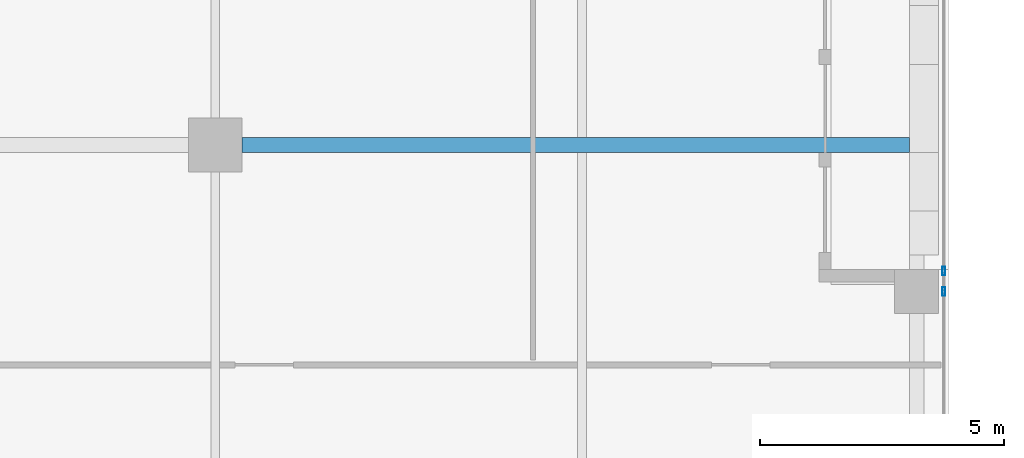
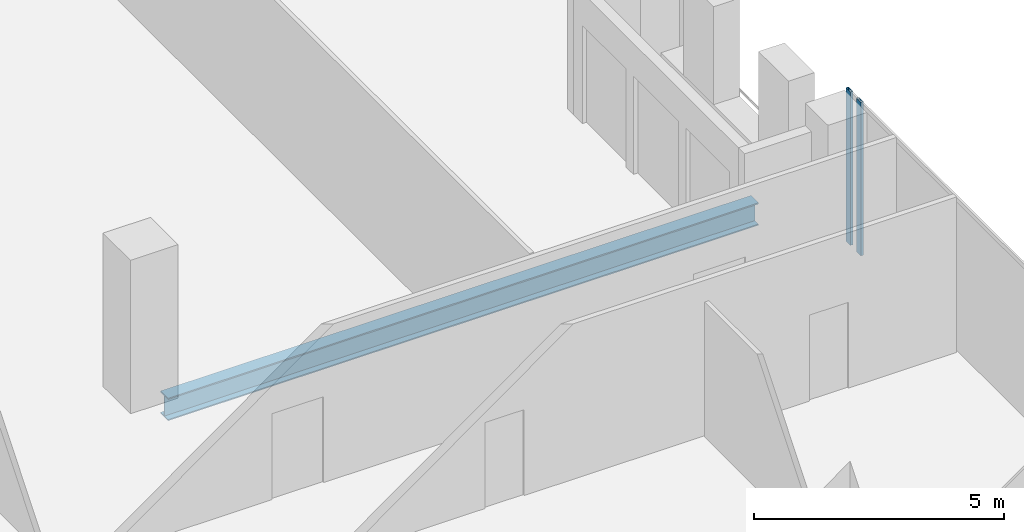
# One storey, part 12 of 36: 2 members, 1 beam, 1 element without a shape of its own.
"""IFC4 building model written with IfcOpenShell, lengths in metres."""

from ifc_helpers import new_model, si_unit, direction, frame, origin, origin_2d, place, context, subcontext, project, spatial, hollow_rectangle, i_section, extrude, source, transform, mapped, material, material_profile, profile_set, type_object, element, aggregate, save


model = new_model("IFC4")

# Units and contexts
model_context = context("Model", 3, precision=1e-05, world=origin(), true_north=direction((0.0, 1.0)))
body_context = subcontext(model_context, "Body", "Model", "MODEL_VIEW")
ifc_project = project(units=[si_unit("LENGTHUNIT", "METRE"), si_unit("AREAUNIT", "SQUARE_METRE"), si_unit("VOLUMEUNIT", "CUBIC_METRE"), si_unit("PLANEANGLEUNIT", "RADIAN"), si_unit("MASSUNIT", "GRAM", prefix="KILO")], contexts=[model_context])

# Site, building, storey
site_placement = place(None, origin())
site = spatial("IfcSite", under=ifc_project, at=site_placement, CompositionType="ELEMENT")
building_placement = place(site_placement, origin())
building = spatial("IfcBuilding", under=site, at=building_placement, Name="Khomas Fold Tower", CompositionType="ELEMENT")
storey_placement = place(building_placement, frame((0.0, 0.0, 226.199951171875)))
storey = spatial("IfcBuildingStorey", under=building, at=storey_placement, Name="L50", CompositionType="ELEMENT", Elevation=226.199951171875)

# Beam
ifc_material_1 = material(Name="Steel S355", Category="steel")
ifc_material_profile_1 = material_profile(ifc_material_1, i_section(OverallWidth=0.300048828125, OverallDepth=0.550048828125, WebThickness=0.014892578125, FlangeThickness=0.029052734375, at=origin_2d()), Name="HE 550 B")
ifc_profile_set_1 = profile_set([ifc_material_profile_1], Name="Steel S355")
beam_type = type_object("IfcBeamType", Name="HE 550 B beam GB4", PredefinedType="BEAM", material=ifc_profile_set_1)
shared_shape_1 = source(origin(), body_context, "Body", "SweptSolid", [
    extrude(i_section(OverallWidth=0.300048828125, OverallDepth=0.550048828125, WebThickness=0.014892578125, FlangeThickness=0.029052734375, at=origin_2d()), origin(), (0.0, 0.0, 1.0), 13.64990234375),
])
beam_placement = place(storey_placement, frame((35.050048828125, 22.5, -0.52490234375), z_axis=(1.0, 0.0, 0.0), x_axis=(0.0, 1.0, 0.0)))
element("IfcBeam", 1, at=beam_placement, inside=storey, type_object=beam_type, Name="GB4", PredefinedType="BEAM", context=body_context, shape_type="MappedRepresentation", body=[
    mapped(shared_shape_1, transform((0.0, 0.0, 0.0))),
])

# Curtain wall, members
ifc_material_2 = material(Name="Aluminium framed double glazing", Category="aluminium")
curtain_wall_type = type_object("IfcCurtainWallType", Name="SK-Unitised clear-glass wall, office floors CW2", PredefinedType="NOTDEFINED", material=ifc_material_2)
curtain_wall_placement = place(storey_placement, origin())
curtain_wall = element("IfcCurtainWall", 2, at=curtain_wall_placement, inside=storey, type_object=curtain_wall_type, Name="CW2 run L50 03-0", PredefinedType="NOTDEFINED")
ifc_material_3 = material(Name="Aluminium", Category="aluminium")
ifc_material_profile_2 = material_profile(ifc_material_3, hollow_rectangle(XDim=0.06005859375, YDim=0.179931640625, WallThickness=0.00390625, at=origin_2d()), Name="SK-Unitised clear-glass wall, office floors mullion CW2-M")
ifc_profile_set_2 = profile_set([ifc_material_profile_2], Name="Aluminium")
member_type = type_object("IfcMemberType", Name="SK-Unitised clear-glass wall, office floors mullion CW2-M", PredefinedType="MULLION", material=ifc_profile_set_2)
shared_shape_2 = source(origin(), body_context, "Body", "SweptSolid", [
    extrude(hollow_rectangle(XDim=0.06005859375, YDim=0.179931640625, WallThickness=0.00390625, at=origin_2d()), origin(), (0.0, 0.0, 1.0), 3.75),
])
member_1_placement = place(storey_placement, frame((49.39990234375, 19.5, 0.0), z_axis=(0.0, 0.0, 1.0), x_axis=(-1.0, 0.0, 0.0)))
member_1 = element("IfcMember", 3, at=member_1_placement, type_object=member_type, Name="CW2 mullion 3", PredefinedType="MULLION", context=body_context, shape_type="MappedRepresentation", body=[
    mapped(shared_shape_2, transform((0.0, 0.0, 0.0))),
])
member_2_placement = place(storey_placement, frame((49.39990234375, 19.919921875, 0.0), z_axis=(0.0, 0.0, 1.0), x_axis=(-1.0, 0.0, 0.0)))
member_2 = element("IfcMember", 4, at=member_2_placement, type_object=member_type, Name="CW2 mullion 4", PredefinedType="MULLION", context=body_context, shape_type="MappedRepresentation", body=[
    mapped(shared_shape_2, transform((0.0, 0.0, 0.0))),
])
aggregate(curtain_wall, [member_1, member_2])

save(model, "model.ifc")
